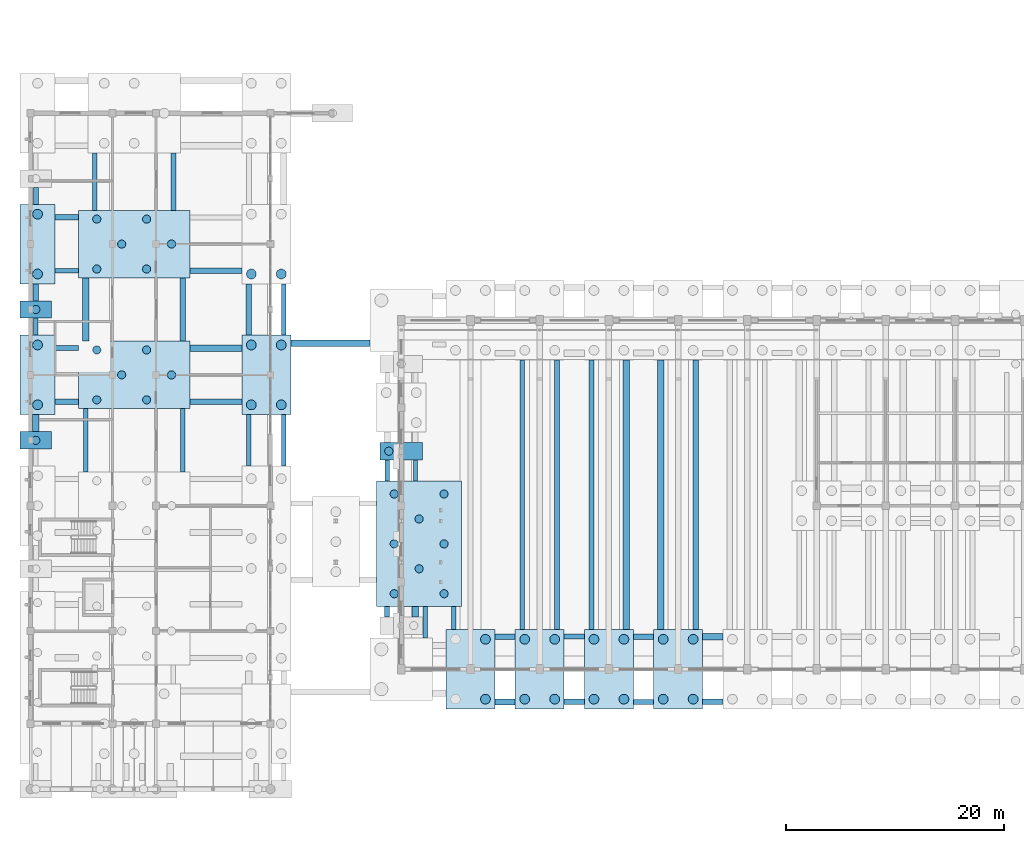
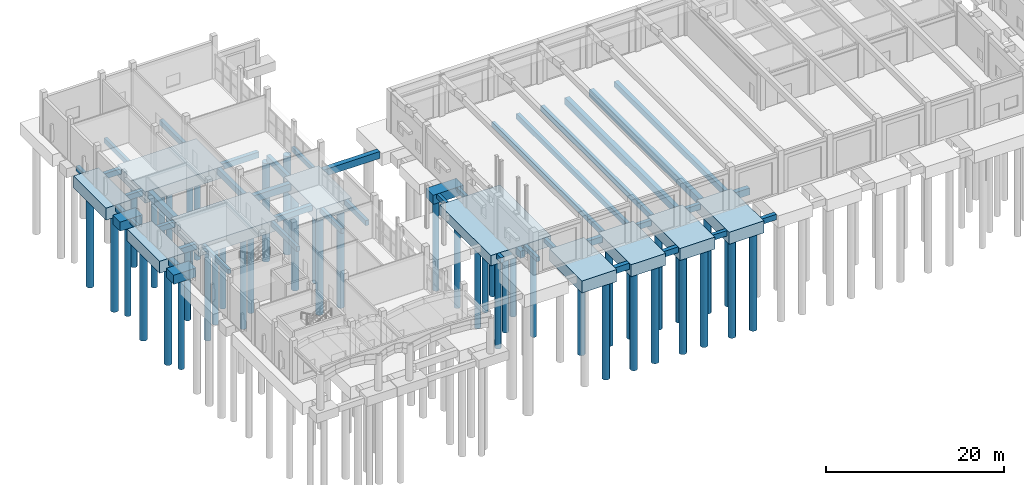
# One storey, part 2 of 60: 55 footings, 47 piles.
"""IFC4 building model written with IfcOpenShell, lengths in metres."""

from ifc_helpers import new_model, si_unit, direction, frame, origin, origin_2d, place, context, subcontext, project, spatial, rectangle, circle, extrude, material, material_profile, profile_set, type_object, element, save


model = new_model("IFC4")

# Units and contexts
model_context = context("Model", 3, precision=1e-05, world=origin(), true_north=direction((0.0, 1.0)))
body_context = subcontext(model_context, "Body", "Model", "MODEL_VIEW")
ifc_project = project(units=[si_unit("LENGTHUNIT", "METRE"), si_unit("AREAUNIT", "SQUARE_METRE"), si_unit("VOLUMEUNIT", "CUBIC_METRE"), si_unit("PLANEANGLEUNIT", "RADIAN"), si_unit("MASSUNIT", "GRAM", prefix="KILO")], contexts=[model_context])

# Site, building, storey
site_placement = place(None, origin())
site = spatial("IfcSite", under=ifc_project, at=site_placement, CompositionType="ELEMENT")
building_placement = place(site_placement, origin())
building = spatial("IfcBuilding", under=site, at=building_placement, Name="Trellovar Central Fire Station", CompositionType="ELEMENT")
storey_placement = place(building_placement, origin())
storey = spatial("IfcBuildingStorey", under=building, at=storey_placement, Name="L01", CompositionType="ELEMENT", Elevation=0.0)

# Footings
ifc_material_1 = material(Name="Concrete C35/45", Category="concrete")
footing_type_1 = type_object("IfcFootingType", Name="CAP-PC03", PredefinedType="PILE_CAP", material=ifc_material_1)
for number, where, z_axis, x_axis, name in (
    (1, (1.47705078125, 35.0, -1.64990234375), (0.0, 0.0, 1.0), (1.0, 0.0, 0.0), "Pile cap PC-03 at (1.5, 35.0)"),
    (2, (1.47705078125, 47.0, -1.64990234375), (0.0, 0.0, 1.0), (1.0, 0.0, 0.0), "Pile cap PC-03 at (1.5, 47.0)"),
):
    element("IfcFooting", number, at=place(storey_placement, frame(where, z_axis=z_axis, x_axis=x_axis)), inside=storey, type_object=footing_type_1, Name=name, PredefinedType="PILE_CAP", context=body_context, shape_type="SweptSolid", body=[
        extrude(rectangle(XDim=2.89990234375, YDim=1.60009765625, at=origin_2d()), origin(), (0.0, 0.0, 1.0), 1.25),
    ])
ifc_material_2 = material(Name="Concrete C35/45", Category="concrete")
footing_type_2 = type_object("IfcFootingType", Name="CAP-PC05", PredefinedType="PILE_CAP", material=ifc_material_2)
for number, where, z_axis, x_axis, name in (
    (3, (1.639892578125, 41.0, -2.050048828125), (0.0, 0.0, 1.0), (1.0, 0.0, 0.0), "Pile cap PC-05 at (1.6, 41.0)"),
    (4, (1.639892578125, 53.0, -2.050048828125), (0.0, 0.0, 1.0), (1.0, 0.0, 0.0), "Pile cap PC-05 at (1.6, 53.0)"),
):
    element("IfcFooting", number, at=place(storey_placement, frame(where, z_axis=z_axis, x_axis=x_axis)), inside=storey, type_object=footing_type_2, Name=name, PredefinedType="PILE_CAP", context=body_context, shape_type="SweptSolid", body=[
        extrude(rectangle(XDim=3.199951171875, YDim=7.300048828125, at=origin_2d()), origin(), (0.0, 0.0, 1.0), 1.64990234375),
    ])
ifc_material_3 = material(Name="Concrete C35/45", Category="concrete")
footing_type_3 = type_object("IfcFootingType", Name="CAP-PC08", PredefinedType="PILE_CAP", material=ifc_material_3)
for number, where, z_axis, x_axis, name in (
    (5, (10.5, 41.0, -1.9501953125), (0.0, 0.0, 1.0), (1.0, 0.0, 0.0), "Pile cap PC-08 at (10.5, 41.0)"),
    (6, (10.5, 53.0, -1.9501953125), (0.0, 0.0, 1.0), (1.0, 0.0, 0.0), "Pile cap PC-08 at (10.5, 53.0)"),
):
    element("IfcFooting", number, at=place(storey_placement, frame(where, z_axis=z_axis, x_axis=x_axis)), inside=storey, type_object=footing_type_3, Name=name, PredefinedType="PILE_CAP", context=body_context, shape_type="SweptSolid", body=[
        extrude(rectangle(XDim=10.199951171875, YDim=6.199951171875, at=origin_2d()), origin(), (0.0, 0.0, 1.0), 1.550048828125),
    ])
ifc_material_4 = material(Name="Concrete C35/45", Category="concrete")
footing_type_4 = type_object("IfcFootingType", Name="CAP-PC12", PredefinedType="PILE_CAP", material=ifc_material_4)
for number, where, z_axis, x_axis, name in (
    (7, (22.6201171875, 41.0, -2.050048828125), (0.0, 0.0, 1.0), (1.0, 0.0, 0.0), "Pile cap PC-12 at (22.6, 41.0)"),
    (8, (41.35009765625, 14.0, -2.050048828125), (0.0, 0.0, 1.0), (1.0, 0.0, 0.0), "Pile cap PC-12 at (41.4, 14.0)"),
    (9, (47.699951171875, 14.0, -2.050048828125), (0.0, 0.0, 1.0), (1.0, 0.0, 0.0), "Pile cap PC-12 at (47.7, 14.0)"),
    (10, (54.050048828125, 14.0, -2.050048828125), (0.0, 0.0, 1.0), (1.0, 0.0, 0.0), "Pile cap PC-12 at (54.0, 14.0)"),
    (11, (60.39990234375, 14.0, -2.050048828125), (0.0, 0.0, 1.0), (1.0, 0.0, 0.0), "Pile cap PC-12 at (60.4, 14.0)"),
):
    element("IfcFooting", number, at=place(storey_placement, frame(where, z_axis=z_axis, x_axis=x_axis)), inside=storey, type_object=footing_type_4, Name=name, PredefinedType="PILE_CAP", context=body_context, shape_type="SweptSolid", body=[
        extrude(rectangle(XDim=4.5, YDim=7.300048828125, at=origin_2d()), origin(), (0.0, 0.0, 1.0), 1.64990234375),
    ])
ifc_material_5 = material(Name="Concrete C35/45", Category="concrete")
footing_type_5 = type_object("IfcFootingType", Name="CAP-PC17", PredefinedType="PILE_CAP", material=ifc_material_5)
footing_1_placement = place(storey_placement, frame((36.637939453125, 25.5, -1.800048828125), z_axis=(0.0, 0.0, 1.0), x_axis=(1.0, 0.0, 0.0)))
element("IfcFooting", 12, at=footing_1_placement, inside=storey, type_object=footing_type_5, Name="Pile cap PC-17 at (36.6, 25.5)", PredefinedType="PILE_CAP", context=body_context, shape_type="SweptSolid", body=[
    extrude(rectangle(XDim=7.800048828125, YDim=11.5, at=origin_2d()), origin(), (0.0, 0.0, 1.0), 1.39990234375),
])
ifc_material_6 = material(Name="Concrete C35/45", Category="concrete")
footing_type_6 = type_object("IfcFootingType", Name="CAP-PC18", PredefinedType="PILE_CAP", material=ifc_material_6)
footing_2_placement = place(storey_placement, frame((35.0, 34.0, -1.64990234375), z_axis=(0.0, 0.0, 1.0), x_axis=(1.0, 0.0, 0.0)))
element("IfcFooting", 13, at=footing_2_placement, inside=storey, type_object=footing_type_6, Name="Pile cap PC-18 at (35.0, 34.0)", PredefinedType="PILE_CAP", context=body_context, shape_type="SweptSolid", body=[
    extrude(rectangle(XDim=3.89990234375, YDim=1.60009765625, at=origin_2d()), origin(), (0.0, 0.0, 1.0), 1.25),
])
ifc_material_7 = material(Name="Concrete C35/45", Category="concrete")
ifc_material_profile_1 = material_profile(ifc_material_7, rectangle(XDim=0.5, YDim=0.800048828125, at=origin_2d()), Name="RC500X800")
ifc_profile_set_1 = profile_set([ifc_material_profile_1], Name="Concrete C35/45")
footing_type_7 = type_object("IfcFootingType", Name="FB-GB1", PredefinedType="FOOTING_BEAM", material=ifc_profile_set_1)
footing_3_placement = place(storey_placement, frame((3.239990234375, 38.550048828125, -0.800048828125), z_axis=(1.0, 0.0, 0.0), x_axis=(0.0, 1.0, 0.0)))
element("IfcFooting", 14, at=footing_3_placement, inside=storey, type_object=footing_type_7, Name="Footing tie beam GB-012", PredefinedType="FOOTING_BEAM", context=body_context, shape_type="SweptSolid", body=[
    extrude(rectangle(XDim=0.5, YDim=0.800048828125, at=origin_2d()), origin(), (0.0, 0.0, 1.0), 2.159912109375),
])
footing_4_placement = place(storey_placement, frame((1.48291015625, 47.800048828125, -0.800048828125), z_axis=(0.0, 1.0, 0.0), x_axis=(-1.0, 0.0, 0.0)))
element("IfcFooting", 15, at=footing_4_placement, inside=storey, type_object=footing_type_7, Name="Footing tie beam GB-015", PredefinedType="FOOTING_BEAM", context=body_context, shape_type="SweptSolid", body=[
    extrude(rectangle(XDim=0.5, YDim=0.800048828125, at=origin_2d()), origin(), (0.0, 0.0, 1.0), 1.550048828125),
])
footing_5_placement = place(storey_placement, frame((14.949951171875, 44.10009765625, -0.800048828125), z_axis=(0.0, 1.0, 0.0), x_axis=(-1.0, 0.0, 0.0)))
element("IfcFooting", 16, at=footing_5_placement, inside=storey, type_object=footing_type_7, Name="Footing tie beam GB-037", PredefinedType="FOOTING_BEAM", context=body_context, shape_type="SweptSolid", body=[
    extrude(rectangle(XDim=0.5, YDim=0.800048828125, at=origin_2d()), origin(), (0.0, 0.0, 1.0), 5.7998046875),
])
footing_6_placement = place(storey_placement, frame((15.60009765625, 50.550048828125, -0.800048828125), z_axis=(1.0, 0.0, 0.0), x_axis=(0.0, 1.0, 0.0)))
element("IfcFooting", 17, at=footing_6_placement, inside=storey, type_object=footing_type_7, Name="Footing tie beam GB-038", PredefinedType="FOOTING_BEAM", context=body_context, shape_type="SweptSolid", body=[
    extrude(rectangle(XDim=0.5, YDim=0.800048828125, at=origin_2d()), origin(), (0.0, 0.0, 1.0), 4.77001953125),
])
footing_7_placement = place(storey_placement, frame((21.02001953125, 44.64990234375, -0.800048828125), z_axis=(0.0, 1.0, 0.0), x_axis=(-1.0, 0.0, 0.0)))
element("IfcFooting", 18, at=footing_7_placement, inside=storey, type_object=footing_type_7, Name="Footing tie beam GB-057", PredefinedType="FOOTING_BEAM", context=body_context, shape_type="SweptSolid", body=[
    extrude(rectangle(XDim=0.5, YDim=0.800048828125, at=origin_2d()), origin(), (0.0, 0.0, 1.0), 4.7001953125),
])
footing_8_placement = place(storey_placement, frame((43.60009765625, 17.0, -0.800048828125), z_axis=(1.0, 0.0, 0.0), x_axis=(0.0, 1.0, 0.0)))
element("IfcFooting", 19, at=footing_8_placement, inside=storey, type_object=footing_type_7, Name="Footing tie beam GB-078", PredefinedType="FOOTING_BEAM", context=body_context, shape_type="SweptSolid", body=[
    extrude(rectangle(XDim=0.5, YDim=0.800048828125, at=origin_2d()), origin(), (0.0, 0.0, 1.0), 1.849853515625),
])
footing_9_placement = place(storey_placement, frame((49.949951171875, 11.0, -0.800048828125), z_axis=(1.0, 0.0, 0.0), x_axis=(0.0, 1.0, 0.0)))
element("IfcFooting", 20, at=footing_9_placement, inside=storey, type_object=footing_type_7, Name="Footing tie beam GB-082", PredefinedType="FOOTING_BEAM", context=body_context, shape_type="SweptSolid", body=[
    extrude(rectangle(XDim=0.5, YDim=0.800048828125, at=origin_2d()), origin(), (0.0, 0.0, 1.0), 1.85009765625),
])
footing_10_placement = place(storey_placement, frame((62.0, 17.64990234375, -0.800048828125), z_axis=(0.0, 1.0, 0.0), x_axis=(-1.0, 0.0, 0.0)))
element("IfcFooting", 21, at=footing_10_placement, inside=storey, type_object=footing_type_7, Name="Footing tie beam GB-097", PredefinedType="FOOTING_BEAM", context=body_context, shape_type="SweptSolid", body=[
    extrude(rectangle(XDim=0.5, YDim=0.800048828125, at=origin_2d()), origin(), (0.0, 0.0, 1.0), 24.7001953125),
])
ifc_material_8 = material(Name="Concrete C35/45", Category="concrete")
ifc_material_profile_2 = material_profile(ifc_material_8, rectangle(XDim=0.60009765625, YDim=0.949951171875, at=origin_2d()), Name="RC600X950")
ifc_profile_set_2 = profile_set([ifc_material_profile_2], Name="Concrete C35/45")
footing_type_8 = type_object("IfcFootingType", Name="FB-GB2", PredefinedType="FOOTING_BEAM", material=ifc_profile_set_2)
footing_11_placement = place(storey_placement, frame((1.48291015625, 35.800048828125, -0.875), z_axis=(0.0, 1.0, 0.0), x_axis=(-1.0, 0.0, 0.0)))
element("IfcFooting", 22, at=footing_11_placement, inside=storey, type_object=footing_type_8, Name="Footing tie beam GB-011", PredefinedType="FOOTING_BEAM", context=body_context, shape_type="SweptSolid", body=[
    extrude(rectangle(XDim=0.60009765625, YDim=0.949951171875, at=origin_2d()), origin(), (0.0, 0.0, 1.0), 1.550048828125),
])
footing_12_placement = place(storey_placement, frame((15.60009765625, 43.449951171875, -0.875), z_axis=(1.0, 0.0, 0.0), x_axis=(0.0, 1.0, 0.0)))
element("IfcFooting", 23, at=footing_12_placement, inside=storey, type_object=footing_type_8, Name="Footing tie beam GB-035", PredefinedType="FOOTING_BEAM", context=body_context, shape_type="SweptSolid", body=[
    extrude(rectangle(XDim=0.60009765625, YDim=0.949951171875, at=origin_2d()), origin(), (0.0, 0.0, 1.0), 4.77001953125),
])
footing_13_placement = place(storey_placement, frame((6.050048828125, 44.10009765625, -0.875), z_axis=(0.0, 1.0, 0.0), x_axis=(-1.0, 0.0, 0.0)))
element("IfcFooting", 24, at=footing_13_placement, inside=storey, type_object=footing_type_8, Name="Footing tie beam GB-036", PredefinedType="FOOTING_BEAM", context=body_context, shape_type="SweptSolid", body=[
    extrude(rectangle(XDim=0.60009765625, YDim=0.949951171875, at=origin_2d()), origin(), (0.0, 0.0, 1.0), 5.7998046875),
])
footing_14_placement = place(storey_placement, frame((24.8701171875, 43.89990234375, -0.875), z_axis=(1.0, 0.0, 0.0), x_axis=(0.0, 1.0, 0.0)))
element("IfcFooting", 25, at=footing_14_placement, inside=storey, type_object=footing_type_8, Name="Footing tie beam GB-056", PredefinedType="FOOTING_BEAM", context=body_context, shape_type="SweptSolid", body=[
    extrude(rectangle(XDim=0.60009765625, YDim=0.949951171875, at=origin_2d()), origin(), (0.0, 0.0, 1.0), 7.27978515625),
])
footing_15_placement = place(storey_placement, frame((36.300048828125, 18.800048828125, -0.875), z_axis=(0.0, 1.0, 0.0), x_axis=(-1.0, 0.0, 0.0)))
element("IfcFooting", 26, at=footing_15_placement, inside=storey, type_object=footing_type_8, Name="Footing tie beam GB-068", PredefinedType="FOOTING_BEAM", context=body_context, shape_type="SweptSolid", body=[
    extrude(rectangle(XDim=0.60009765625, YDim=0.949951171875, at=origin_2d()), origin(), (0.0, 0.0, 1.0), 0.949951171875),
])
footing_16_placement = place(storey_placement, frame((55.64990234375, 17.64990234375, -0.875), z_axis=(0.0, 1.0, 0.0), x_axis=(-1.0, 0.0, 0.0)))
element("IfcFooting", 27, at=footing_16_placement, inside=storey, type_object=footing_type_8, Name="Footing tie beam GB-091", PredefinedType="FOOTING_BEAM", context=body_context, shape_type="SweptSolid", body=[
    extrude(rectangle(XDim=0.60009765625, YDim=0.949951171875, at=origin_2d()), origin(), (0.0, 0.0, 1.0), 24.7001953125),
])
footing_17_placement = place(storey_placement, frame((62.64990234375, 17.0, -0.875), z_axis=(1.0, 0.0, 0.0), x_axis=(0.0, 1.0, 0.0)))
element("IfcFooting", 28, at=footing_17_placement, inside=storey, type_object=footing_type_8, Name="Footing tie beam GB-095", PredefinedType="FOOTING_BEAM", context=body_context, shape_type="SweptSolid", body=[
    extrude(rectangle(XDim=0.60009765625, YDim=0.949951171875, at=origin_2d()), origin(), (0.0, 0.0, 1.0), 1.85009765625),
])
footing_18_placement = place(storey_placement, frame((58.800048828125, 17.64990234375, -0.875), z_axis=(0.0, 1.0, 0.0), x_axis=(-1.0, 0.0, 0.0)))
element("IfcFooting", 29, at=footing_18_placement, inside=storey, type_object=footing_type_8, Name="Footing tie beam GB-096", PredefinedType="FOOTING_BEAM", context=body_context, shape_type="SweptSolid", body=[
    extrude(rectangle(XDim=0.60009765625, YDim=0.949951171875, at=origin_2d()), origin(), (0.0, 0.0, 1.0), 24.7001953125),
])
ifc_material_9 = material(Name="Concrete C35/45", Category="concrete")
ifc_material_profile_3 = material_profile(ifc_material_9, rectangle(XDim=0.449951171875, YDim=0.75, at=origin_2d()), Name="RC450X750")
ifc_profile_set_3 = profile_set([ifc_material_profile_3], Name="Concrete C35/45")
footing_type_9 = type_object("IfcFootingType", Name="FB-GB3", PredefinedType="FOOTING_BEAM", material=ifc_profile_set_3)
for number, where, z_axis, x_axis, name in (
    (30, (3.239990234375, 43.449951171875, -0.77490234375), (1.0, 0.0, 0.0), (0.0, 1.0, 0.0), "Footing tie beam GB-013"),
    (31, (3.239990234375, 50.550048828125, -0.77490234375), (1.0, 0.0, 0.0), (0.0, 1.0, 0.0), "Footing tie beam GB-016"),
):
    element("IfcFooting", number, at=place(storey_placement, frame(where, z_axis=z_axis, x_axis=x_axis)), inside=storey, type_object=footing_type_9, Name=name, PredefinedType="FOOTING_BEAM", context=body_context, shape_type="SweptSolid", body=[
        extrude(rectangle(XDim=0.449951171875, YDim=0.75, at=origin_2d()), origin(), (0.0, 0.0, 1.0), 2.159912109375),
    ])
footing_19_placement = place(storey_placement, frame((49.949951171875, 17.0, -0.77490234375), z_axis=(1.0, 0.0, 0.0), x_axis=(0.0, 1.0, 0.0)))
element("IfcFooting", 32, at=footing_19_placement, inside=storey, type_object=footing_type_9, Name="Footing tie beam GB-083", PredefinedType="FOOTING_BEAM", context=body_context, shape_type="SweptSolid", body=[
    extrude(rectangle(XDim=0.449951171875, YDim=0.75, at=origin_2d()), origin(), (0.0, 0.0, 1.0), 1.85009765625),
])
footing_20_placement = place(storey_placement, frame((56.300048828125, 11.0, -0.77490234375), z_axis=(1.0, 0.0, 0.0), x_axis=(0.0, 1.0, 0.0)))
element("IfcFooting", 33, at=footing_20_placement, inside=storey, type_object=footing_type_9, Name="Footing tie beam GB-088", PredefinedType="FOOTING_BEAM", context=body_context, shape_type="SweptSolid", body=[
    extrude(rectangle(XDim=0.449951171875, YDim=0.75, at=origin_2d()), origin(), (0.0, 0.0, 1.0), 1.849853515625),
])
ifc_material_10 = material(Name="Concrete C35/45", Category="concrete")
ifc_material_profile_4 = material_profile(ifc_material_10, rectangle(XDim=0.39990234375, YDim=0.64990234375, at=origin_2d()), Name="RC400X650")
ifc_profile_set_4 = profile_set([ifc_material_profile_4], Name="Concrete C35/45")
footing_type_10 = type_object("IfcFootingType", Name="FB-GB4", PredefinedType="FOOTING_BEAM", material=ifc_profile_set_4)
footing_21_placement = place(storey_placement, frame((1.48291015625, 44.64990234375, -0.72509765625), z_axis=(0.0, 1.0, 0.0), x_axis=(-1.0, 0.0, 0.0)))
element("IfcFooting", 34, at=footing_21_placement, inside=storey, type_object=footing_type_10, Name="Footing tie beam GB-014", PredefinedType="FOOTING_BEAM", context=body_context, shape_type="SweptSolid", body=[
    extrude(rectangle(XDim=0.39990234375, YDim=0.64990234375, at=origin_2d()), origin(), (0.0, 0.0, 1.0), 1.550048828125),
])
footing_22_placement = place(storey_placement, frame((14.949951171875, 32.10009765625, -0.72509765625), z_axis=(0.0, 1.0, 0.0), x_axis=(-1.0, 0.0, 0.0)))
element("IfcFooting", 35, at=footing_22_placement, inside=storey, type_object=footing_type_10, Name="Footing tie beam GB-033", PredefinedType="FOOTING_BEAM", context=body_context, shape_type="SweptSolid", body=[
    extrude(rectangle(XDim=0.39990234375, YDim=0.64990234375, at=origin_2d()), origin(), (0.0, 0.0, 1.0), 5.7998046875),
])
footing_23_placement = place(storey_placement, frame((6.89990234375, 56.10009765625, -0.72509765625), z_axis=(0.0, 1.0, 0.0), x_axis=(-1.0, 0.0, 0.0)))
element("IfcFooting", 36, at=footing_23_placement, inside=storey, type_object=footing_type_10, Name="Footing tie beam GB-040", PredefinedType="FOOTING_BEAM", context=body_context, shape_type="SweptSolid", body=[
    extrude(rectangle(XDim=0.39990234375, YDim=0.64990234375, at=origin_2d()), origin(), (0.0, 0.0, 1.0), 5.25),
])
footing_24_placement = place(storey_placement, frame((21.02001953125, 32.64990234375, -0.72509765625), z_axis=(0.0, 1.0, 0.0), x_axis=(-1.0, 0.0, 0.0)))
element("IfcFooting", 37, at=footing_24_placement, inside=storey, type_object=footing_type_10, Name="Footing tie beam GB-054", PredefinedType="FOOTING_BEAM", context=body_context, shape_type="SweptSolid", body=[
    extrude(rectangle(XDim=0.39990234375, YDim=0.64990234375, at=origin_2d()), origin(), (0.0, 0.0, 1.0), 4.7001953125),
])
footing_25_placement = place(storey_placement, frame((36.300048828125, 31.25, -0.72509765625), z_axis=(0.0, 1.0, 0.0), x_axis=(-1.0, 0.0, 0.0)))
element("IfcFooting", 38, at=footing_25_placement, inside=storey, type_object=footing_type_10, Name="Footing tie beam GB-070", PredefinedType="FOOTING_BEAM", context=body_context, shape_type="SweptSolid", body=[
    extrude(rectangle(XDim=0.39990234375, YDim=0.64990234375, at=origin_2d()), origin(), (0.0, 0.0, 1.0), 1.949951171875),
])
footing_26_placement = place(storey_placement, frame((46.10009765625, 17.64990234375, -0.72509765625), z_axis=(0.0, 1.0, 0.0), x_axis=(-1.0, 0.0, 0.0)))
element("IfcFooting", 39, at=footing_26_placement, inside=storey, type_object=footing_type_10, Name="Footing tie beam GB-084", PredefinedType="FOOTING_BEAM", context=body_context, shape_type="SweptSolid", body=[
    extrude(rectangle(XDim=0.39990234375, YDim=0.64990234375, at=origin_2d()), origin(), (0.0, 0.0, 1.0), 24.7001953125),
])
ifc_material_11 = material(Name="Concrete C35/45", Category="concrete")
ifc_material_profile_5 = material_profile(ifc_material_11, rectangle(XDim=0.550048828125, YDim=0.85009765625, at=origin_2d()), Name="RC550X850")
ifc_profile_set_5 = profile_set([ifc_material_profile_5], Name="Concrete C35/45")
footing_type_11 = type_object("IfcFootingType", Name="FB-GB5", PredefinedType="FOOTING_BEAM", material=ifc_profile_set_5)
footing_27_placement = place(storey_placement, frame((43.60009765625, 11.0, -0.824951171875), z_axis=(1.0, 0.0, 0.0), x_axis=(0.0, 1.0, 0.0)))
element("IfcFooting", 40, at=footing_27_placement, inside=storey, type_object=footing_type_11, Name="Footing tie beam GB-077", PredefinedType="FOOTING_BEAM", context=body_context, shape_type="SweptSolid", body=[
    extrude(rectangle(XDim=0.550048828125, YDim=0.85009765625, at=origin_2d()), origin(), (0.0, 0.0, 1.0), 1.849853515625),
])
ifc_material_12 = material(Name="Concrete C35/45", Category="concrete")
ifc_material_profile_6 = material_profile(ifc_material_12, rectangle(XDim=0.5, YDim=0.75, at=origin_2d()), Name="RC500X750")
ifc_profile_set_6 = profile_set([ifc_material_profile_6], Name="Concrete C35/45")
footing_type_12 = type_object("IfcFootingType", Name="FB-GB6", PredefinedType="FOOTING_BEAM", material=ifc_profile_set_6)
footing_28_placement = place(storey_placement, frame((3.239990234375, 55.449951171875, -0.77490234375), z_axis=(1.0, 0.0, 0.0), x_axis=(0.0, 1.0, 0.0)))
element("IfcFooting", 41, at=footing_28_placement, inside=storey, type_object=footing_type_12, Name="Footing tie beam GB-017", PredefinedType="FOOTING_BEAM", context=body_context, shape_type="SweptSolid", body=[
    extrude(rectangle(XDim=0.5, YDim=0.75, at=origin_2d()), origin(), (0.0, 0.0, 1.0), 2.159912109375),
])
footing_29_placement = place(storey_placement, frame((15.60009765625, 38.550048828125, -0.77490234375), z_axis=(1.0, 0.0, 0.0), x_axis=(0.0, 1.0, 0.0)))
element("IfcFooting", 42, at=footing_29_placement, inside=storey, type_object=footing_type_12, Name="Footing tie beam GB-034", PredefinedType="FOOTING_BEAM", context=body_context, shape_type="SweptSolid", body=[
    extrude(rectangle(XDim=0.5, YDim=0.75, at=origin_2d()), origin(), (0.0, 0.0, 1.0), 4.77001953125),
])
footing_30_placement = place(storey_placement, frame((56.300048828125, 17.0, -0.77490234375), z_axis=(1.0, 0.0, 0.0), x_axis=(0.0, 1.0, 0.0)))
element("IfcFooting", 43, at=footing_30_placement, inside=storey, type_object=footing_type_12, Name="Footing tie beam GB-089", PredefinedType="FOOTING_BEAM", context=body_context, shape_type="SweptSolid", body=[
    extrude(rectangle(XDim=0.5, YDim=0.75, at=origin_2d()), origin(), (0.0, 0.0, 1.0), 1.849853515625),
])
footing_31_placement = place(storey_placement, frame((62.64990234375, 11.0, -0.77490234375), z_axis=(1.0, 0.0, 0.0), x_axis=(0.0, 1.0, 0.0)))
element("IfcFooting", 44, at=footing_31_placement, inside=storey, type_object=footing_type_12, Name="Footing tie beam GB-094", PredefinedType="FOOTING_BEAM", context=body_context, shape_type="SweptSolid", body=[
    extrude(rectangle(XDim=0.5, YDim=0.75, at=origin_2d()), origin(), (0.0, 0.0, 1.0), 1.85009765625),
])
ifc_material_13 = material(Name="Concrete C35/45", Category="concrete")
ifc_material_profile_7 = material_profile(ifc_material_13, rectangle(XDim=0.449951171875, YDim=0.699951171875, at=origin_2d()), Name="RC450X700")
ifc_profile_set_7 = profile_set([ifc_material_profile_7], Name="Concrete C35/45")
footing_type_13 = type_object("IfcFootingType", Name="FB-GB7", PredefinedType="FOOTING_BEAM", material=ifc_profile_set_7)
footing_32_placement = place(storey_placement, frame((1.48291015625, 56.64990234375, -0.75), z_axis=(0.0, 1.0, 0.0), x_axis=(-1.0, 0.0, 0.0)))
element("IfcFooting", 45, at=footing_32_placement, inside=storey, type_object=footing_type_13, Name="Footing tie beam GB-018", PredefinedType="FOOTING_BEAM", context=body_context, shape_type="SweptSolid", body=[
    extrude(rectangle(XDim=0.449951171875, YDim=0.699951171875, at=origin_2d()), origin(), (0.0, 0.0, 1.0), 1.550048828125),
])
footing_33_placement = place(storey_placement, frame((14.10009765625, 56.10009765625, -0.75), z_axis=(0.0, 1.0, 0.0), x_axis=(-1.0, 0.0, 0.0)))
element("IfcFooting", 46, at=footing_33_placement, inside=storey, type_object=footing_type_13, Name="Footing tie beam GB-041", PredefinedType="FOOTING_BEAM", context=body_context, shape_type="SweptSolid", body=[
    extrude(rectangle(XDim=0.449951171875, YDim=0.699951171875, at=origin_2d()), origin(), (0.0, 0.0, 1.0), 5.25),
])
footing_34_placement = place(storey_placement, frame((24.219970703125, 32.64990234375, -0.75), z_axis=(0.0, 1.0, 0.0), x_axis=(-1.0, 0.0, 0.0)))
element("IfcFooting", 47, at=footing_34_placement, inside=storey, type_object=footing_type_13, Name="Footing tie beam GB-055", PredefinedType="FOOTING_BEAM", context=body_context, shape_type="SweptSolid", body=[
    extrude(rectangle(XDim=0.449951171875, YDim=0.699951171875, at=origin_2d()), origin(), (0.0, 0.0, 1.0), 4.7001953125),
])
footing_35_placement = place(storey_placement, frame((33.699951171875, 18.800048828125, -0.75), z_axis=(0.0, 1.0, 0.0), x_axis=(-1.0, 0.0, 0.0)))
element("IfcFooting", 48, at=footing_35_placement, inside=storey, type_object=footing_type_13, Name="Footing tie beam GB-067", PredefinedType="FOOTING_BEAM", context=body_context, shape_type="SweptSolid", body=[
    extrude(rectangle(XDim=0.449951171875, YDim=0.699951171875, at=origin_2d()), origin(), (0.0, 0.0, 1.0), 0.949951171875),
])
for number, where, z_axis, x_axis, name in (
    (49, (49.300048828125, 17.64990234375, -0.75), (0.0, 1.0, 0.0), (-1.0, 0.0, 0.0), "Footing tie beam GB-085"),
    (50, (52.449951171875, 17.64990234375, -0.75), (0.0, 1.0, 0.0), (-1.0, 0.0, 0.0), "Footing tie beam GB-090"),
):
    element("IfcFooting", number, at=place(storey_placement, frame(where, z_axis=z_axis, x_axis=x_axis)), inside=storey, type_object=footing_type_13, Name=name, PredefinedType="FOOTING_BEAM", context=body_context, shape_type="SweptSolid", body=[
        extrude(rectangle(XDim=0.449951171875, YDim=0.699951171875, at=origin_2d()), origin(), (0.0, 0.0, 1.0), 24.7001953125),
    ])
ifc_material_14 = material(Name="Concrete C35/45", Category="concrete")
ifc_material_profile_8 = material_profile(ifc_material_14, rectangle(XDim=0.39990234375, YDim=0.60009765625, at=origin_2d()), Name="RC400X600")
ifc_profile_set_8 = profile_set([ifc_material_profile_8], Name="Concrete C35/45")
footing_type_14 = type_object("IfcFootingType", Name="FB-GB8", PredefinedType="FOOTING_BEAM", material=ifc_profile_set_8)
footing_36_placement = place(storey_placement, frame((6.050048828125, 32.10009765625, -0.699951171875), z_axis=(0.0, 1.0, 0.0), x_axis=(-1.0, 0.0, 0.0)))
element("IfcFooting", 51, at=footing_36_placement, inside=storey, type_object=footing_type_14, Name="Footing tie beam GB-032", PredefinedType="FOOTING_BEAM", context=body_context, shape_type="SweptSolid", body=[
    extrude(rectangle(XDim=0.39990234375, YDim=0.60009765625, at=origin_2d()), origin(), (0.0, 0.0, 1.0), 5.7998046875),
])
footing_37_placement = place(storey_placement, frame((24.219970703125, 44.64990234375, -0.699951171875), z_axis=(0.0, 1.0, 0.0), x_axis=(-1.0, 0.0, 0.0)))
element("IfcFooting", 52, at=footing_37_placement, inside=storey, type_object=footing_type_14, Name="Footing tie beam GB-058", PredefinedType="FOOTING_BEAM", context=body_context, shape_type="SweptSolid", body=[
    extrude(rectangle(XDim=0.39990234375, YDim=0.60009765625, at=origin_2d()), origin(), (0.0, 0.0, 1.0), 4.7001953125),
])
footing_38_placement = place(storey_placement, frame((37.199951171875, 16.85009765625, -0.699951171875), z_axis=(0.0, 1.0, 0.0), x_axis=(-1.0, 0.0, 0.0)))
element("IfcFooting", 53, at=footing_38_placement, inside=storey, type_object=footing_type_14, Name="Footing tie beam GB-066", PredefinedType="FOOTING_BEAM", context=body_context, shape_type="SweptSolid", body=[
    extrude(rectangle(XDim=0.39990234375, YDim=0.60009765625, at=origin_2d()), origin(), (0.0, 0.0, 1.0), 2.89990234375),
])
footing_39_placement = place(storey_placement, frame((33.699951171875, 31.25, -0.699951171875), z_axis=(0.0, 1.0, 0.0), x_axis=(-1.0, 0.0, 0.0)))
element("IfcFooting", 54, at=footing_39_placement, inside=storey, type_object=footing_type_14, Name="Footing tie beam GB-069", PredefinedType="FOOTING_BEAM", context=body_context, shape_type="SweptSolid", body=[
    extrude(rectangle(XDim=0.39990234375, YDim=0.60009765625, at=origin_2d()), origin(), (0.0, 0.0, 1.0), 1.949951171875),
])
footing_40_placement = place(storey_placement, frame((39.819091796875, 17.64990234375, -0.699951171875), z_axis=(0.0, 1.0, 0.0), x_axis=(-1.0, 0.0, 0.0)))
element("IfcFooting", 55, at=footing_40_placement, inside=storey, type_object=footing_type_14, Name="Footing tie beam GB-079", PredefinedType="FOOTING_BEAM", context=body_context, shape_type="SweptSolid", body=[
    extrude(rectangle(XDim=0.39990234375, YDim=0.60009765625, at=origin_2d()), origin(), (0.0, 0.0, 1.0), 2.10009765625),
])

# Piles
ifc_material_15 = material(Name="Concrete C35/45", Category="concrete")
ifc_material_profile_9 = material_profile(ifc_material_15, circle(Radius=0.375, at=origin_2d()), Name="PILE750")
ifc_profile_set_9 = profile_set([ifc_material_profile_9], Name="Concrete C35/45")
pile_type_1 = type_object("IfcPileType", Name="PILE-BP1", PredefinedType="BORED", material=ifc_profile_set_9)
for number, where, z_axis, x_axis, name in (
    (56, (1.47705078125, 35.0, -1.550048828125), (0.0, 0.0, -1.0), (1.0, 0.0, 0.0), "Bored pile FNDBP3-005-01"),
    (57, (1.47705078125, 47.0, -1.550048828125), (0.0, 0.0, -1.0), (1.0, 0.0, 0.0), "Bored pile FNDBP3-007-01"),
    (58, (7.070068359375, 38.712890625, -1.85009765625), (0.0, 0.0, -1.0), (1.0, 0.0, 0.0), "Bored pile FNDBP3-015-01"),
    (59, (7.070068359375, 43.287109375, -1.85009765625), (0.0, 0.0, -1.0), (1.0, 0.0, 0.0), "Bored pile FNDBP3-015-02"),
    (60, (9.35693359375, 41.0, -1.85009765625), (0.0, 0.0, -1.0), (1.0, 0.0, 0.0), "Bored pile FNDBP3-015-03"),
    (61, (11.64306640625, 38.712890625, -1.85009765625), (0.0, 0.0, -1.0), (1.0, 0.0, 0.0), "Bored pile FNDBP3-015-04"),
    (62, (11.64306640625, 43.287109375, -1.85009765625), (0.0, 0.0, -1.0), (1.0, 0.0, 0.0), "Bored pile FNDBP3-015-05"),
    (63, (13.929931640625, 41.0, -1.85009765625), (0.0, 0.0, -1.0), (1.0, 0.0, 0.0), "Bored pile FNDBP3-015-06"),
    (64, (7.070068359375, 50.712890625, -1.85009765625), (0.0, 0.0, -1.0), (1.0, 0.0, 0.0), "Bored pile FNDBP3-016-01"),
    (65, (7.070068359375, 55.287109375, -1.85009765625), (0.0, 0.0, -1.0), (1.0, 0.0, 0.0), "Bored pile FNDBP3-016-02"),
    (66, (9.35693359375, 53.0, -1.85009765625), (0.0, 0.0, -1.0), (1.0, 0.0, 0.0), "Bored pile FNDBP3-016-03"),
    (67, (11.64306640625, 50.712890625, -1.85009765625), (0.0, 0.0, -1.0), (1.0, 0.0, 0.0), "Bored pile FNDBP3-016-04"),
    (68, (11.64306640625, 55.287109375, -1.85009765625), (0.0, 0.0, -1.0), (1.0, 0.0, 0.0), "Bored pile FNDBP3-016-05"),
    (69, (13.929931640625, 53.0, -1.85009765625), (0.0, 0.0, -1.0), (1.0, 0.0, 0.0), "Bored pile FNDBP3-016-06"),
    (70, (34.35107421875, 20.926025390625, -1.699951171875), (0.0, 0.0, -1.0), (1.0, 0.0, 0.0), "Bored pile FNDBP3-029-01"),
    (71, (34.35107421875, 25.5, -1.699951171875), (0.0, 0.0, -1.0), (1.0, 0.0, 0.0), "Bored pile FNDBP3-029-02"),
    (72, (34.35107421875, 30.073974609375, -1.699951171875), (0.0, 0.0, -1.0), (1.0, 0.0, 0.0), "Bored pile FNDBP3-029-03"),
    (73, (36.637939453125, 23.212890625, -1.699951171875), (0.0, 0.0, -1.0), (1.0, 0.0, 0.0), "Bored pile FNDBP3-029-04"),
    (74, (36.637939453125, 27.787109375, -1.699951171875), (0.0, 0.0, -1.0), (1.0, 0.0, 0.0), "Bored pile FNDBP3-029-05"),
    (75, (38.925048828125, 20.926025390625, -1.699951171875), (0.0, 0.0, -1.0), (1.0, 0.0, 0.0), "Bored pile FNDBP3-029-06"),
    (76, (38.925048828125, 25.5, -1.699951171875), (0.0, 0.0, -1.0), (1.0, 0.0, 0.0), "Bored pile FNDBP3-029-07"),
    (77, (38.925048828125, 30.073974609375, -1.699951171875), (0.0, 0.0, -1.0), (1.0, 0.0, 0.0), "Bored pile FNDBP3-029-08"),
    (78, (33.85693359375, 34.0, -1.550048828125), (0.0, 0.0, -1.0), (1.0, 0.0, 0.0), "Bored pile FNDBP3-030-01"),
):
    element("IfcPile", number, at=place(storey_placement, frame(where, z_axis=z_axis, x_axis=x_axis)), inside=storey, type_object=pile_type_1, Name=name, PredefinedType="BORED", context=body_context, shape_type="SweptSolid", body=[
        extrude(circle(Radius=0.375, at=origin_2d()), origin(), (0.0, 0.0, 1.0), 12.5),
    ])
ifc_material_16 = material(Name="Concrete C35/45", Category="concrete")
ifc_material_profile_10 = material_profile(ifc_material_16, circle(Radius=0.449951171875, at=origin_2d()), Name="PILE900")
ifc_profile_set_10 = profile_set([ifc_material_profile_10], Name="Concrete C35/45")
pile_type_2 = type_object("IfcPileType", Name="PILE-BP2", PredefinedType="BORED", material=ifc_profile_set_10)
for number, where, z_axis, x_axis, name in (
    (79, (1.639892578125, 38.2548828125, -1.949951171875), (0.0, 0.0, -1.0), (1.0, 0.0, 0.0), "Bored pile FNDBP3-006-01"),
    (80, (1.639892578125, 43.7451171875, -1.949951171875), (0.0, 0.0, -1.0), (1.0, 0.0, 0.0), "Bored pile FNDBP3-006-02"),
    (81, (1.639892578125, 50.2548828125, -1.949951171875), (0.0, 0.0, -1.0), (1.0, 0.0, 0.0), "Bored pile FNDBP3-008-01"),
    (82, (1.639892578125, 55.7451171875, -1.949951171875), (0.0, 0.0, -1.0), (1.0, 0.0, 0.0), "Bored pile FNDBP3-008-02"),
    (83, (21.2470703125, 38.2548828125, -1.949951171875), (0.0, 0.0, -1.0), (1.0, 0.0, 0.0), "Bored pile FNDBP3-022-01"),
    (84, (21.2470703125, 43.7451171875, -1.949951171875), (0.0, 0.0, -1.0), (1.0, 0.0, 0.0), "Bored pile FNDBP3-022-02"),
    (85, (23.992919921875, 38.2548828125, -1.949951171875), (0.0, 0.0, -1.0), (1.0, 0.0, 0.0), "Bored pile FNDBP3-022-03"),
    (86, (23.992919921875, 43.7451171875, -1.949951171875), (0.0, 0.0, -1.0), (1.0, 0.0, 0.0), "Bored pile FNDBP3-022-04"),
    (87, (21.2470703125, 50.2548828125, -1.949951171875), (0.0, 0.0, -1.0), (1.0, 0.0, 0.0), "Bored pile FNDBP3-023-01"),
    (88, (23.992919921875, 50.2548828125, -1.949951171875), (0.0, 0.0, -1.0), (1.0, 0.0, 0.0), "Bored pile FNDBP3-023-03"),
    (89, (42.722900390625, 11.2548828125, -1.949951171875), (0.0, 0.0, -1.0), (1.0, 0.0, 0.0), "Bored pile FNDBP3-034-03"),
    (90, (42.722900390625, 16.7451171875, -1.949951171875), (0.0, 0.0, -1.0), (1.0, 0.0, 0.0), "Bored pile FNDBP3-034-04"),
    (91, (46.326904296875, 11.2548828125, -1.949951171875), (0.0, 0.0, -1.0), (1.0, 0.0, 0.0), "Bored pile FNDBP3-036-01"),
    (92, (46.326904296875, 16.7451171875, -1.949951171875), (0.0, 0.0, -1.0), (1.0, 0.0, 0.0), "Bored pile FNDBP3-036-02"),
    (93, (49.072998046875, 11.2548828125, -1.949951171875), (0.0, 0.0, -1.0), (1.0, 0.0, 0.0), "Bored pile FNDBP3-036-03"),
    (94, (49.072998046875, 16.7451171875, -1.949951171875), (0.0, 0.0, -1.0), (1.0, 0.0, 0.0), "Bored pile FNDBP3-036-04"),
    (95, (52.677001953125, 11.2548828125, -1.949951171875), (0.0, 0.0, -1.0), (1.0, 0.0, 0.0), "Bored pile FNDBP3-038-01"),
    (96, (52.677001953125, 16.7451171875, -1.949951171875), (0.0, 0.0, -1.0), (1.0, 0.0, 0.0), "Bored pile FNDBP3-038-02"),
    (97, (55.423095703125, 11.2548828125, -1.949951171875), (0.0, 0.0, -1.0), (1.0, 0.0, 0.0), "Bored pile FNDBP3-038-03"),
    (98, (55.423095703125, 16.7451171875, -1.949951171875), (0.0, 0.0, -1.0), (1.0, 0.0, 0.0), "Bored pile FNDBP3-038-04"),
    (99, (59.027099609375, 11.2548828125, -1.949951171875), (0.0, 0.0, -1.0), (1.0, 0.0, 0.0), "Bored pile FNDBP3-040-01"),
    (100, (59.027099609375, 16.7451171875, -1.949951171875), (0.0, 0.0, -1.0), (1.0, 0.0, 0.0), "Bored pile FNDBP3-040-02"),
    (101, (61.77294921875, 11.2548828125, -1.949951171875), (0.0, 0.0, -1.0), (1.0, 0.0, 0.0), "Bored pile FNDBP3-040-03"),
    (102, (61.77294921875, 16.7451171875, -1.949951171875), (0.0, 0.0, -1.0), (1.0, 0.0, 0.0), "Bored pile FNDBP3-040-04"),
):
    element("IfcPile", number, at=place(storey_placement, frame(where, z_axis=z_axis, x_axis=x_axis)), inside=storey, type_object=pile_type_2, Name=name, PredefinedType="BORED", context=body_context, shape_type="SweptSolid", body=[
        extrude(circle(Radius=0.449951171875, at=origin_2d()), origin(), (0.0, 0.0, 1.0), 13.5),
    ])

save(model, "model.ifc")
